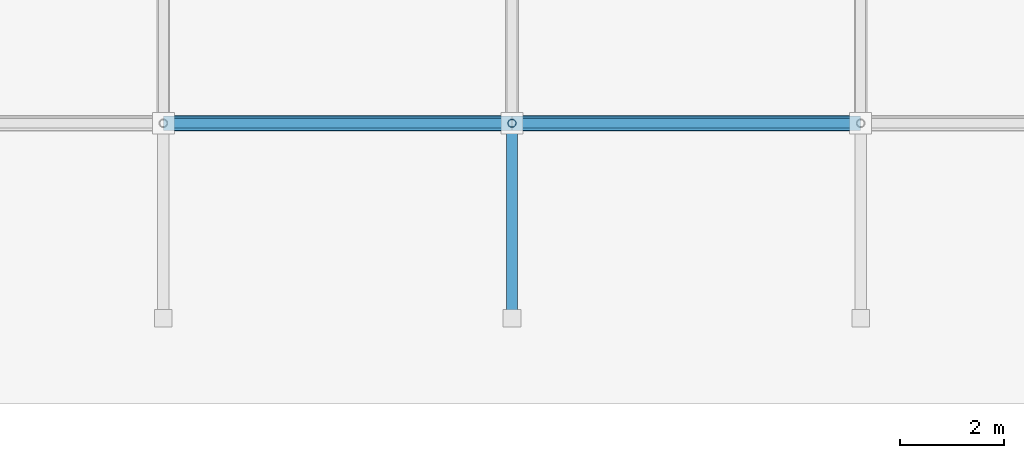
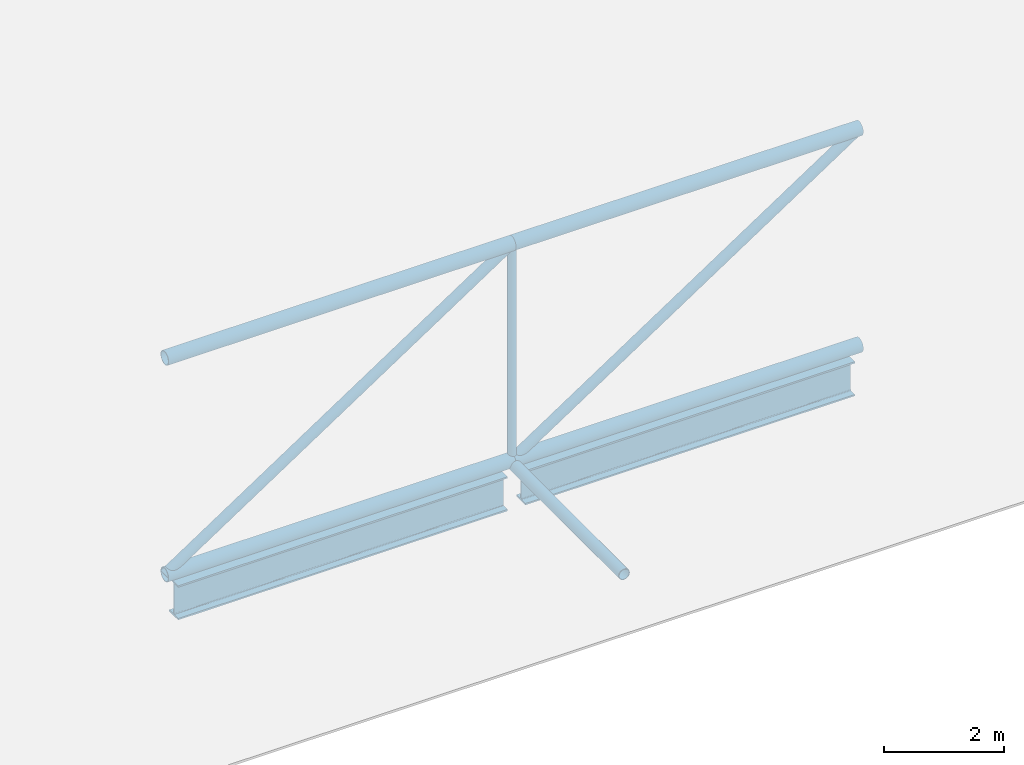
# One storey, part 25 of 77: 8 members, 2 beams.
"""IFC4 building model written with IfcOpenShell, lengths in metres."""

from ifc_helpers import new_model, si_unit, direction, frame, origin, origin_2d, place, context, subcontext, project, spatial, hollow_circle, i_section, extrude, material, material_profile, profile_set, type_object, element, save


model = new_model("IFC4")

# Units and contexts
model_context = context("Model", 3, precision=1e-05, world=origin(), true_north=direction((0.0, 1.0)))
body_context = subcontext(model_context, "Body", "Model", "MODEL_VIEW")
ifc_project = project(units=[si_unit("LENGTHUNIT", "METRE"), si_unit("AREAUNIT", "SQUARE_METRE"), si_unit("VOLUMEUNIT", "CUBIC_METRE"), si_unit("PLANEANGLEUNIT", "RADIAN"), si_unit("MASSUNIT", "GRAM", prefix="KILO")], contexts=[model_context])

# Site, building, storey
site_placement = place(None, origin())
site = spatial("IfcSite", under=ifc_project, at=site_placement, CompositionType="ELEMENT")
building_placement = place(site_placement, origin())
building = spatial("IfcBuilding", under=site, at=building_placement, Name="Nabrawat Pavilion Hospital", CompositionType="ELEMENT")
storey_placement = place(building_placement, frame((0.0, 0.0, 14.85009765625)))
storey = spatial("IfcBuildingStorey", under=building, at=storey_placement, Name="L03", CompositionType="ELEMENT", Elevation=14.85009765625)

# Beams
ifc_material = material(Name="Steel S355", Category="steel")
ifc_material_profile_1 = material_profile(ifc_material, i_section(OverallWidth=0.300048828125, OverallDepth=0.699951171875, WebThickness=0.01708984375, FlangeThickness=0.031982421875, FilletRadius=0.027099609375, at=origin_2d()), Name="HEB 700")
ifc_profile_set_1 = profile_set([ifc_material_profile_1], Name="Steel S355")
beam_type = type_object("IfcBeamType", Name="Main Hall Space-Frame Perimeter Ring Girder HEB 700", PredefinedType="USERDEFINED", material=ifc_profile_set_1)
for number, where, z_axis, x_axis, name in (
    (1, (85.92529296875, 15.60009765625, -0.60009765625), (1.0, 0.0, 0.0), (0.0, 1.0, 0.0), "L03 Main Hall Space-Frame Perimeter Ring Girder 1432"),
    (2, (92.63330078125, 15.60009765625, -0.60009765625), (1.0, 0.0, 0.0), (0.0, 1.0, 0.0), "L03 Main Hall Space-Frame Perimeter Ring Girder 1433"),
):
    element("IfcBeam", number, at=place(storey_placement, frame(where, z_axis=z_axis, x_axis=x_axis)), inside=storey, type_object=beam_type, Name=name, ObjectType="GIRDER", PredefinedType="USERDEFINED", context=body_context, shape_type="SweptSolid", body=[
        extrude(i_section(OverallWidth=0.300048828125, OverallDepth=0.699951171875, WebThickness=0.01708984375, FlangeThickness=0.031982421875, FilletRadius=0.027099609375, at=origin_2d()), origin(), (0.0, 0.0, 1.0), 6.361572265625),
    ])

# Members
ifc_material_profile_2 = material_profile(ifc_material, hollow_circle(Radius=0.109619140625, WallThickness=0.012451171875, at=origin_2d()), Name="CHS 219.1x12.5")
ifc_profile_set_2 = profile_set([ifc_material_profile_2], Name="Steel S355")
member_type_1 = type_object("IfcMemberType", Name="Space Frame Overhanging Eave Strut CHS 219.1x12.5", PredefinedType="STRUT", material=ifc_profile_set_2)
member_1_placement = place(storey_placement, frame((92.4599609375, 15.60009765625, -0.110107421875), z_axis=(0.0, -0.999996437516, -0.002669261324), x_axis=(1.0, 0.0, 0.0)))
element("IfcMember", 3, at=member_1_placement, inside=storey, type_object=member_type_1, Name="Space Frame Overhanging Eave Strut South 0274", PredefinedType="STRUT", context=body_context, shape_type="SweptSolid", body=[
    extrude(hollow_circle(Radius=0.109619140625, WallThickness=0.012451171875, at=origin_2d()), origin(), (0.0, 0.0, 1.0), 3.75),
])
ifc_material_profile_3 = material_profile(ifc_material, hollow_circle(Radius=0.136474609375, WallThickness=0.012451171875, at=origin_2d()), Name="CHS 273x12.5")
ifc_profile_set_3 = profile_set([ifc_material_profile_3], Name="Steel S355")
member_type_2 = type_object("IfcMemberType", Name="Space Frame Primary Chord CHS 273x12.5", PredefinedType="CHORD", material=ifc_profile_set_3)
for number, where, z_axis, x_axis, name in (
    (4, (85.751953125, 15.60009765625, 4.373046875), (1.0, 0.0, 0.0), (0.0, 1.0, 0.0), "Space Frame Chord Top X 0101"),
    (5, (85.751953125, 15.60009765625, -0.050048828125), (1.0, 0.0, 0.0), (0.0, 1.0, 0.0), "Space Frame Chord Bottom X 0102"),
    (6, (92.4599609375, 15.60009765625, 4.373046875), (1.0, 0.0, 0.0), (0.0, 1.0, 0.0), "Space Frame Chord Top X 0126"),
    (7, (92.4599609375, 15.60009765625, -0.050048828125), (1.0, 0.0, 0.0), (0.0, 1.0, 0.0), "Space Frame Chord Bottom X 0127"),
):
    element("IfcMember", number, at=place(storey_placement, frame(where, z_axis=z_axis, x_axis=x_axis)), inside=storey, type_object=member_type_2, Name=name, PredefinedType="CHORD", context=body_context, shape_type="SweptSolid", body=[
        extrude(hollow_circle(Radius=0.136474609375, WallThickness=0.012451171875, at=origin_2d()), origin(), (0.0, 0.0, 1.0), 6.7080078125),
    ])
ifc_material_profile_4 = material_profile(ifc_material, hollow_circle(Radius=0.096923828125, WallThickness=0.010009765625, at=origin_2d()), Name="CHS 193.7x10")
ifc_profile_set_4 = profile_set([ifc_material_profile_4], Name="Steel S355")
member_type_3 = type_object("IfcMemberType", Name="Space Frame Primary Diagonal CHS 193.7x10", PredefinedType="BRACE", material=ifc_profile_set_4)
for number, where, z_axis, x_axis, name in (
    (8, (85.751953125, 15.60009765625, -0.050048828125), (0.834849035362, 0.0, 0.5504789625), (0.0, 1.0, 0.0), "Space Frame Diagonal Web X 0106"),
    (9, (92.4599609375, 15.60009765625, -0.050048828125), (0.834849035362, 0.0, 0.5504789625), (0.0, 1.0, 0.0), "Space Frame Diagonal Web X 0131"),
):
    element("IfcMember", number, at=place(storey_placement, frame(where, z_axis=z_axis, x_axis=x_axis)), inside=storey, type_object=member_type_3, Name=name, PredefinedType="BRACE", context=body_context, shape_type="SweptSolid", body=[
        extrude(hollow_circle(Radius=0.096923828125, WallThickness=0.010009765625, at=origin_2d()), origin(), (0.0, 0.0, 1.0), 8.034912109375),
    ])
ifc_material_profile_5 = material_profile(ifc_material, hollow_circle(Radius=0.07958984375, WallThickness=0.008056640625, at=origin_2d()), Name="CHS 159x8")
ifc_profile_set_5 = profile_set([ifc_material_profile_5], Name="Steel S355")
member_type_4 = type_object("IfcMemberType", Name="Space Frame Vertical Web Post CHS 159x8", PredefinedType="BRACE", material=ifc_profile_set_5)
member_2_placement = place(storey_placement, frame((92.4599609375, 15.60009765625, -0.050048828125), z_axis=(0.0, 0.0, 1.0), x_axis=(1.0, 0.0, 0.0)))
element("IfcMember", 10, at=member_2_placement, inside=storey, type_object=member_type_4, Name="Space Frame Diagonal Post 0130", PredefinedType="BRACE", context=body_context, shape_type="SweptSolid", body=[
    extrude(hollow_circle(Radius=0.07958984375, WallThickness=0.008056640625, at=origin_2d()), origin(), (0.0, 0.0, 1.0), 4.423095703125),
])

save(model, "model.ifc")
